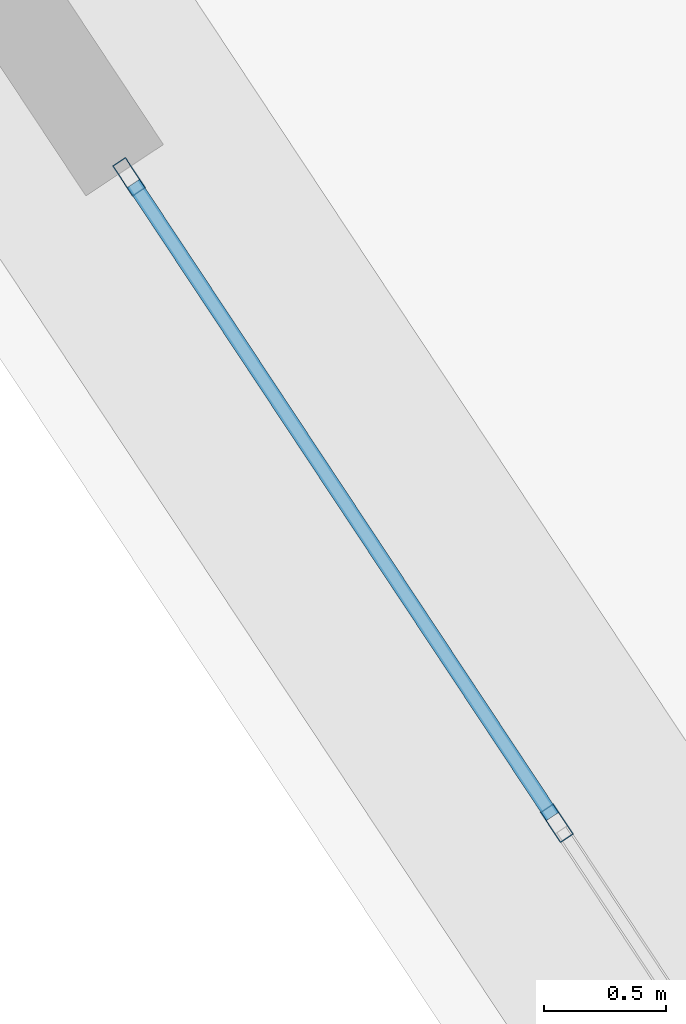
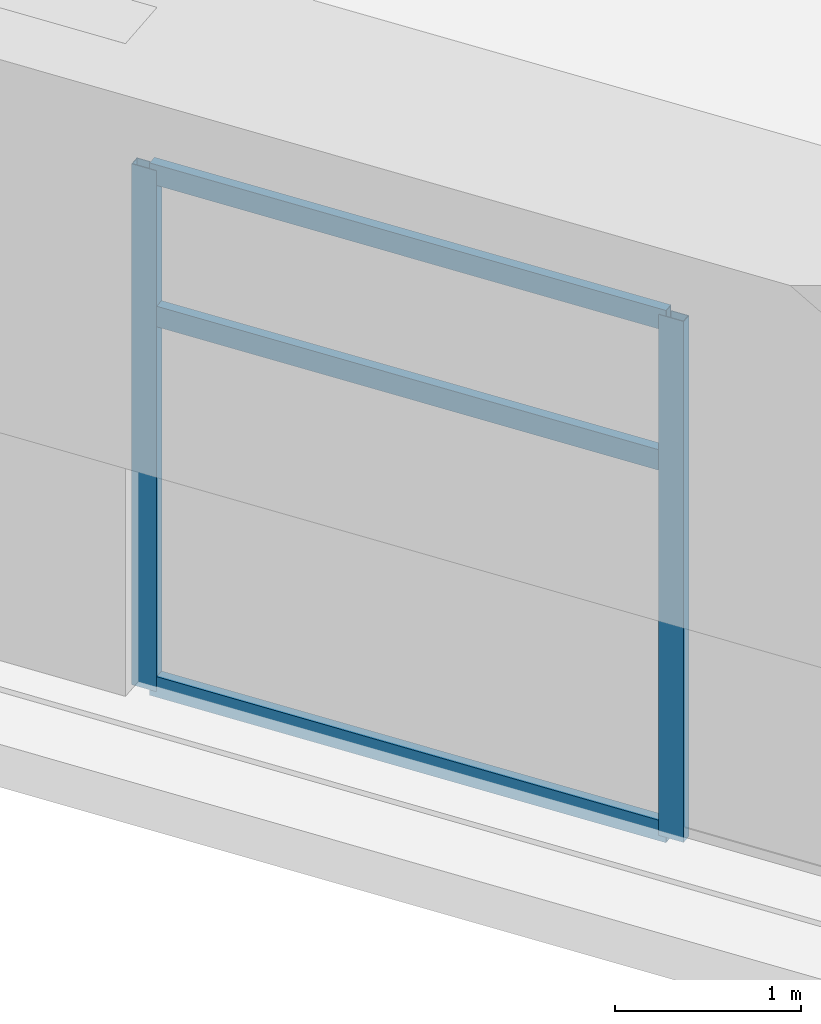
# One storey, part 4 of 39: 5 members, 1 element without a shape of its own.
"""IFC4 building model written with IfcOpenShell, lengths in metres."""

from ifc_helpers import new_model, si_unit, direction, frame, origin, origin_2d, place, context, subcontext, project, spatial, hollow_rectangle, extrude, source, transform, mapped, material, layer, layer_set, material_profile, profile_set, type_object, element, aggregate, save


model = new_model("IFC4")

# Units and contexts
model_context = context("Model", 3, precision=1e-05, world=origin(), true_north=direction((0.0, 1.0)))
body_context = subcontext(model_context, "Body", "Model", "MODEL_VIEW")
ifc_project = project(units=[si_unit("LENGTHUNIT", "METRE"), si_unit("AREAUNIT", "SQUARE_METRE"), si_unit("VOLUMEUNIT", "CUBIC_METRE"), si_unit("PLANEANGLEUNIT", "RADIAN"), si_unit("MASSUNIT", "GRAM", prefix="KILO")], contexts=[model_context])

# Site, building, storey
site_placement = place(None, origin())
site = spatial("IfcSite", under=ifc_project, at=site_placement, CompositionType="ELEMENT")
building_placement = place(site_placement, origin())
building = spatial("IfcBuilding", under=site, at=building_placement, Name="Liaohun Quay Tower", CompositionType="ELEMENT")
storey_placement = place(building_placement, frame((0.0, 0.0, 189.75)))
storey = spatial("IfcBuildingStorey", under=building, at=storey_placement, Name="L49", CompositionType="ELEMENT", Elevation=189.75)

# Curtain wall, members
ifc_material_1 = material(Name="Mid-height zone-break sky-lobby curtain wall")
ifc_layer = layer(ifc_material_1, 0.199951171875, Name="Mid-height zone-break sky-lobby curtain wall")
ifc_layer_set = layer_set([ifc_layer], Name="Mid-height zone-break sky-lobby curtain wall")
curtain_wall_type = type_object("IfcCurtainWallType", Name="CW-SKY-L49", PredefinedType="NOTDEFINED", material=ifc_layer_set)
curtain_wall_placement = place(storey_placement, origin())
curtain_wall = element("IfcCurtainWall", 1, at=curtain_wall_placement, inside=storey, type_object=curtain_wall_type, Name="L49 Panoramic Belvedere Curtain Wall 06", PredefinedType="NOTDEFINED")
ifc_material_2 = material(Name="Anodised aluminium 6063-T6", Category="aluminium")
ifc_material_profile_1 = material_profile(ifc_material_2, hollow_rectangle(XDim=0.06494140625, YDim=0.14990234375, WallThickness=0.00390625, at=origin_2d()), Name="RHS150x65x4")
ifc_profile_set_1 = profile_set([ifc_material_profile_1], Name="Anodised aluminium 6063-T6")
member_type_1 = type_object("IfcMemberType", Name="MEM-CWM-SKY", PredefinedType="MULLION", material=ifc_profile_set_1)
shared_shape_1 = source(origin(), body_context, "Body", "SweptSolid", [
    extrude(hollow_rectangle(XDim=0.06494140625, YDim=0.14990234375, WallThickness=0.00390625, at=origin_2d()), origin(), (0.0, 0.0, 1.0), 3.419921875),
])
member_1_placement = place(storey_placement, frame((44.06396484375, 33.496826171875, 0.0), z_axis=(0.0, 0.0, 1.0), x_axis=(0.833848660243, 0.551993126598, 0.0)))
member_1 = element("IfcMember", 2, at=member_1_placement, type_object=member_type_1, Name="CW4 mullion 1", PredefinedType="MULLION", context=body_context, shape_type="MappedRepresentation", body=[
    mapped(shared_shape_1, transform((0.0, 0.0, 0.0), x_axis=(1.0, 0.0, 0.0), y_axis=(0.0, 1.0, 0.0), z_axis=(0.0, 0.0, 1.0), scale=1.0)),
])
member_2_placement = place(storey_placement, frame((45.8125, 30.85546875, 0.0), z_axis=(0.0, 0.0, 1.0), x_axis=(0.833848660243, 0.551993126598, 0.0)))
member_2 = element("IfcMember", 3, at=member_2_placement, type_object=member_type_1, Name="CW4 mullion 2", PredefinedType="MULLION", context=body_context, shape_type="MappedRepresentation", body=[
    mapped(shared_shape_1, transform((0.0, 0.0, 0.0), x_axis=(1.0, 0.0, 0.0), y_axis=(0.0, 1.0, 0.0), z_axis=(0.0, 0.0, 1.0), scale=1.0)),
])
ifc_material_profile_2 = material_profile(ifc_material_2, hollow_rectangle(XDim=0.06005859375, YDim=0.135009765625, WallThickness=0.00390625, at=origin_2d()), Name="RHS135x60x4")
ifc_profile_set_2 = profile_set([ifc_material_profile_2], Name="Anodised aluminium 6063-T6")
member_type_2 = type_object("IfcMemberType", Name="MEM-CWT-SKY", PredefinedType="USERDEFINED", material=ifc_profile_set_2)
shared_shape_2 = source(origin(), body_context, "Body", "SweptSolid", [
    extrude(hollow_rectangle(XDim=0.06005859375, YDim=0.135009765625, WallThickness=0.00390625, at=origin_2d()), origin(), (0.0, 0.0, 1.0), 3.102783203125),
])
member_3_placement = place(storey_placement, frame((44.081787109375, 33.4697265625, 0.030029296875), z_axis=(0.552046338044, -0.833813432761, 0.0), x_axis=(0.833813432761, 0.552046338044, 0.0)))
member_3 = element("IfcMember", 4, at=member_3_placement, type_object=member_type_2, Name="CW4 transom 1.1", ObjectType="TRANSOM", PredefinedType="USERDEFINED", context=body_context, shape_type="MappedRepresentation", body=[
    mapped(shared_shape_2, transform((0.0, 0.0, 0.0), x_axis=(1.0, 0.0, 0.0), y_axis=(0.0, 1.0, 0.0), z_axis=(0.0, 0.0, 1.0), scale=1.0)),
])
member_4_placement = place(storey_placement, frame((44.081787109375, 33.4697265625, 2.4619140625), z_axis=(0.552046338044, -0.833813432761, 0.0), x_axis=(0.833813432761, 0.552046338044, 0.0)))
member_4 = element("IfcMember", 5, at=member_4_placement, type_object=member_type_2, Name="CW4 transom 1.2", ObjectType="TRANSOM", PredefinedType="USERDEFINED", context=body_context, shape_type="MappedRepresentation", body=[
    mapped(shared_shape_2, transform((0.0, 0.0, 0.0), x_axis=(1.0, 0.0, 0.0), y_axis=(0.0, 1.0, 0.0), z_axis=(0.0, 0.0, 1.0), scale=1.0)),
])
member_5_placement = place(storey_placement, frame((44.081787109375, 33.4697265625, 3.389892578125), z_axis=(0.552046338044, -0.833813432761, 0.0), x_axis=(0.833813432761, 0.552046338044, 0.0)))
member_5 = element("IfcMember", 6, at=member_5_placement, type_object=member_type_2, Name="CW4 transom 1.3", ObjectType="TRANSOM", PredefinedType="USERDEFINED", context=body_context, shape_type="MappedRepresentation", body=[
    mapped(shared_shape_2, transform((0.0, 0.0, 0.0), x_axis=(1.0, 0.0, 0.0), y_axis=(0.0, 1.0, 0.0), z_axis=(0.0, 0.0, 1.0), scale=1.0)),
])
aggregate(curtain_wall, [member_1, member_2, member_3, member_4, member_5])

save(model, "model.ifc")
